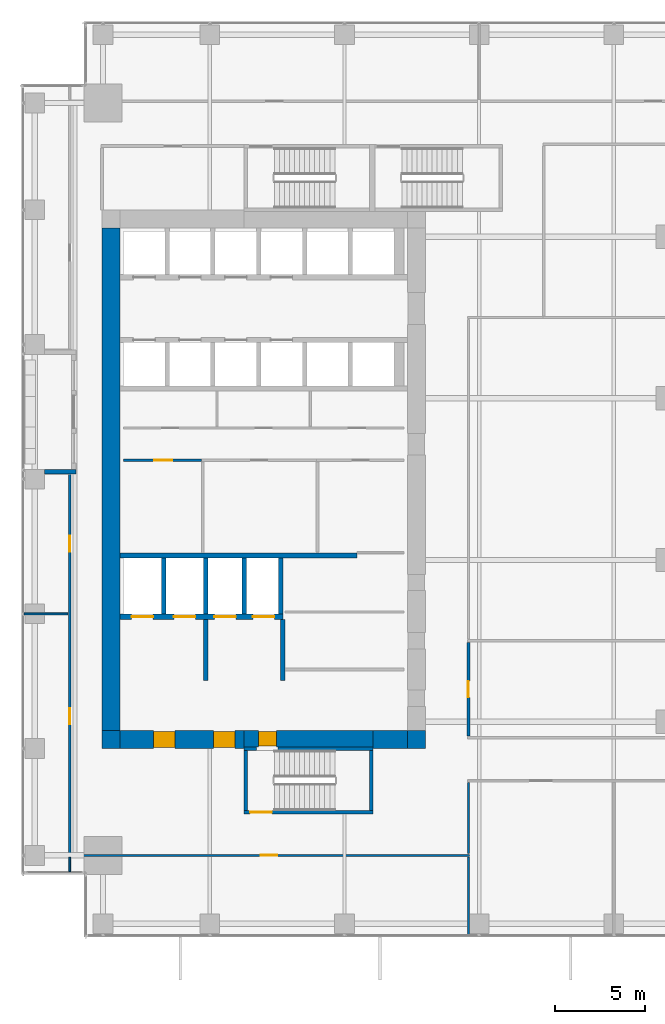
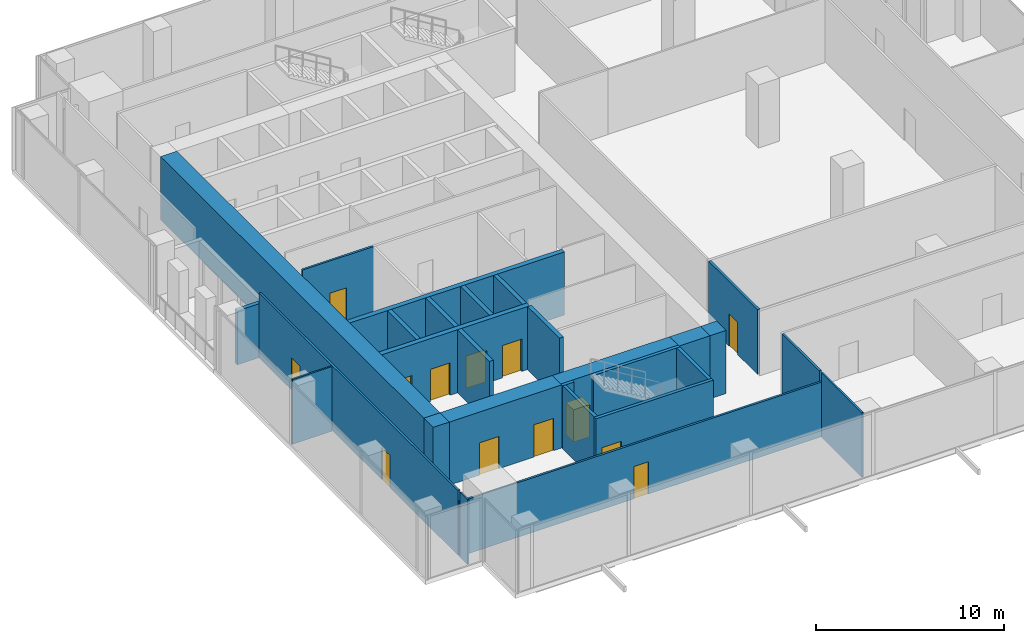
# One storey, part 29 of 35: 28 walls, 13 doors, 13 openings.
"""IFC4 building model written with IfcOpenShell, lengths in metres."""

from ifc_helpers import new_model, si_unit, direction, frame, frame_2d, origin, place, context, subcontext, project, spatial, rectangle, extrude, source, transform, mapped, material, layer, layer_set, type_object, element, fill, save


model = new_model("IFC4")

# Units and contexts
model_context = context("Model", 3, precision=1e-05, world=origin(), true_north=direction((0.0, 1.0)))
body_context = subcontext(model_context, "Body", "Model", "MODEL_VIEW")
ifc_project = project(units=[si_unit("LENGTHUNIT", "METRE"), si_unit("AREAUNIT", "SQUARE_METRE"), si_unit("VOLUMEUNIT", "CUBIC_METRE"), si_unit("PLANEANGLEUNIT", "RADIAN"), si_unit("MASSUNIT", "GRAM", prefix="KILO")], contexts=[model_context])

# Site, building, storey
site_placement = place(None, origin())
site = spatial("IfcSite", under=ifc_project, at=site_placement, CompositionType="ELEMENT")
building_placement = place(site_placement, origin())
building = spatial("IfcBuilding", under=site, at=building_placement, Name="Khomas Fold Tower", CompositionType="ELEMENT")
storey_placement = place(building_placement, frame((0.0, 0.0, 132.300048828125)))
storey = spatial("IfcBuildingStorey", under=building, at=storey_placement, Name="L28", CompositionType="ELEMENT", Elevation=132.300048828125)

# Wall, openings, doors
ifc_material_1 = material(Name="Concrete C70/85", Category="concrete")
ifc_layer_1 = layer(ifc_material_1, 1.0)
ifc_layer_set_1 = layer_set([ifc_layer_1], Name="Concrete C70/85")
wall_type_1 = type_object("IfcWallType", Name="Core wall 1000", PredefinedType="SHEAR", material=ifc_layer_set_1)
shared_shape_1 = source(origin(), body_context, "Body", "SweptSolid", [
    extrude(rectangle(XDim=6.89990234375, YDim=1.0, at=frame_2d((3.449951171875, 0.0))), origin(), (0.0, 0.0, 1.0), 4.099853515625),
])
wall_1_placement = place(storey_placement, frame((7.0, 12.5, 0.0), z_axis=(0.0, 0.0, 1.0), x_axis=(1.0, 0.0, 0.0)))
wall_1 = element("IfcWall", 1, at=wall_1_placement, inside=storey, type_object=wall_type_1, Name="Core wall CW-L-S-L21", PredefinedType="SHEAR", context=body_context, shape_type="MappedRepresentation", body=[
    mapped(shared_shape_1, transform((0.0, 0.0, 0.0))),
])
shared_shape_2 = source(origin(), body_context, "Body", "SweptSolid", [
    extrude(rectangle(XDim=1.199951171875, YDim=2.10009765625, at=frame_2d((0.60009765625, 1.050048828125))), frame((0.0, 0.510009765625, 0.0), z_axis=(0.0, -1.0, 0.0), x_axis=(1.0, 0.0, 0.0)), (0.0, 0.0, 1.0), 1.02001953125),
])
opening_1_placement = place(wall_1_placement, frame((5.199951171875, 0.0, 0.0)))
opening_1 = element("IfcOpeningElement", 2, at=opening_1_placement, cuts=wall_1, Name="Opening 0009", PredefinedType="OPENING", context=body_context, shape_type="MappedRepresentation", body=[
    mapped(shared_shape_2, transform((0.0, 0.0, 0.0))),
])
opening_2_placement = place(wall_1_placement, frame((1.85009765625, 0.0, 0.0)))
opening_2 = element("IfcOpeningElement", 3, at=opening_2_placement, cuts=wall_1, Name="Opening 0009", PredefinedType="OPENING", context=body_context, shape_type="MappedRepresentation", body=[
    mapped(shared_shape_2, transform((0.0, 0.0, 0.0))),
])
ifc_material_2 = material(Name="Steel door leaf", Category="steel")
door_type_1 = type_object("IfcDoorType", Name="Lobby door 1200x2100 right-hand", OperationType="SINGLE_SWING_RIGHT", PredefinedType="DOOR", material=ifc_material_2)
shared_shape_3 = source(origin(), body_context, "Body", "SweptSolid", [
    extrude(rectangle(XDim=1.199951171875, YDim=2.10009765625, at=frame_2d((0.60009765625, 1.050048828125))), frame((0.0, 0.449951171875, 0.0), z_axis=(0.0, -1.0, 0.0), x_axis=(1.0, 0.0, 0.0)), (0.0, 0.0, 1.0), 0.89990234375),
])
door_1_placement = place(opening_1_placement, origin())
door_1 = element("IfcDoor", 4, at=door_1_placement, inside=storey, type_object=door_type_1, Name="Lobby door", OperationType="SINGLE_SWING_RIGHT", OverallHeight=2.10009765625, OverallWidth=1.199951171875, PredefinedType="DOOR", context=body_context, shape_type="MappedRepresentation", body=[
    mapped(shared_shape_3, transform((0.0, 0.0, 0.0))),
])
fill(opening_1, door_1)
door_2_placement = place(opening_2_placement, origin())
door_2 = element("IfcDoor", 5, at=door_2_placement, inside=storey, type_object=door_type_1, Name="Lobby door", OperationType="SINGLE_SWING_RIGHT", OverallHeight=2.10009765625, OverallWidth=1.199951171875, PredefinedType="DOOR", context=body_context, shape_type="MappedRepresentation", body=[
    mapped(shared_shape_3, transform((0.0, 0.0, 0.0))),
])
fill(opening_2, door_2)

# Walls
ifc_material_3 = material(Name="Concrete C70/85", Category="concrete")
ifc_layer_2 = layer(ifc_material_3, 1.0)
ifc_layer_set_2 = layer_set([ifc_layer_2], Name="Concrete C70/85")
wall_type_2 = type_object("IfcWallType", Name="Core corner wall 1000", PredefinedType="SHEAR", material=ifc_layer_set_2)
shared_shape_4 = source(origin(), body_context, "Body", "SweptSolid", [
    extrude(rectangle(XDim=1.0, YDim=1.0, at=frame_2d((0.5, 0.0))), origin(), (0.0, 0.0, 1.0), 4.099853515625),
])
for number, where, z_axis, x_axis, name in (
    (6, (23.0, 12.5, 0.0), (0.0, 0.0, 1.0), (1.0, 0.0, 0.0), "Core wall CW-L-SE-L21"),
    (7, (6.0, 12.5, 0.0), (0.0, 0.0, 1.0), (1.0, 0.0, 0.0), "Core wall CW-L-SW-L21"),
):
    element("IfcWall", number, at=place(storey_placement, frame(where, z_axis=z_axis, x_axis=x_axis)), inside=storey, type_object=wall_type_2, Name=name, PredefinedType="SHEAR", context=body_context, shape_type="MappedRepresentation", body=[
        mapped(shared_shape_4, transform((0.0, 0.0, 0.0))),
    ])

# Wall, opening, door
ifc_material_4 = material(Name="Concrete C70/85", Category="concrete")
ifc_layer_3 = layer(ifc_material_4, 0.89990234375)
ifc_layer_set_3 = layer_set([ifc_layer_3], Name="Concrete C70/85")
wall_type_3 = type_object("IfcWallType", Name="Core wall 900", PredefinedType="SHEAR", material=ifc_layer_set_3)
shared_shape_5 = source(origin(), body_context, "Body", "SweptSolid", [
    extrude(rectangle(XDim=7.2001953125, YDim=0.89990234375, at=frame_2d((3.60009765625, 0.0))), origin(), (0.0, 0.0, 1.0), 4.099853515625),
])
wall_2_placement = place(storey_placement, frame((13.89990234375, 12.550048828125, 0.0), z_axis=(0.0, 0.0, 1.0), x_axis=(1.0, 0.0, 0.0)))
wall_2 = element("IfcWall", 8, at=wall_2_placement, inside=storey, type_object=wall_type_3, Name="Core wall CW-L-S-L21-1", PredefinedType="SHEAR", context=body_context, shape_type="MappedRepresentation", body=[
    mapped(shared_shape_5, transform((0.0, 0.0, 0.0))),
])
shared_shape_6 = source(origin(), body_context, "Body", "SweptSolid", [
    extrude(rectangle(XDim=1.0, YDim=2.10009765625, at=frame_2d((0.5, 1.050048828125))), frame((0.0, 0.4599609375, 0.0), z_axis=(0.0, -1.0, 0.0), x_axis=(1.0, 0.0, 0.0)), (0.0, 0.0, 1.0), 0.919921875),
])
opening_3_placement = place(wall_2_placement, frame((0.800048828125, 0.0, 0.0)))
opening_3 = element("IfcOpeningElement", 9, at=opening_3_placement, cuts=wall_2, Name="Opening 0010", PredefinedType="OPENING", context=body_context, shape_type="MappedRepresentation", body=[
    mapped(shared_shape_6, transform((0.0, 0.0, 0.0))),
])
ifc_material_5 = material(Name="Steel door leaf", Category="steel")
door_type_2 = type_object("IfcDoorType", Name="Stair door 1000x2100 right-hand", OperationType="SINGLE_SWING_RIGHT", PredefinedType="DOOR", material=ifc_material_5)
shared_shape_7 = source(origin(), body_context, "Body", "SweptSolid", [
    extrude(rectangle(XDim=1.0, YDim=2.10009765625, at=frame_2d((0.5, 1.050048828125))), frame((0.0, 0.39990234375, 0.0), z_axis=(0.0, -1.0, 0.0), x_axis=(1.0, 0.0, 0.0)), (0.0, 0.0, 1.0), 0.7998046875),
])
door_3_placement = place(opening_3_placement, origin())
door_3 = element("IfcDoor", 10, at=door_3_placement, inside=storey, type_object=door_type_2, Name="Stair door", OperationType="SINGLE_SWING_RIGHT", OverallHeight=2.10009765625, OverallWidth=1.0, PredefinedType="DOOR", context=body_context, shape_type="MappedRepresentation", body=[
    mapped(shared_shape_7, transform((0.0, 0.0, 0.0))),
])
fill(opening_3, door_3)

# Walls
shared_shape_8 = source(origin(), body_context, "Body", "SweptSolid", [
    extrude(rectangle(XDim=1.89990234375, YDim=1.0, at=frame_2d((0.949951171875, 0.0))), origin(), (0.0, 0.0, 1.0), 4.099853515625),
])
wall_3_placement = place(storey_placement, frame((21.10009765625, 12.5, 0.0), z_axis=(0.0, 0.0, 1.0), x_axis=(1.0, 0.0, 0.0)))
element("IfcWall", 11, at=wall_3_placement, inside=storey, type_object=wall_type_1, Name="Core wall CW-L-S-L21-2", PredefinedType="SHEAR", context=body_context, shape_type="MappedRepresentation", body=[
    mapped(shared_shape_8, transform((0.0, 0.0, 0.0))),
])
shared_shape_9 = source(origin(), body_context, "Body", "SweptSolid", [
    extrude(rectangle(XDim=28.0, YDim=1.0, at=frame_2d((14.0, 0.0))), origin(), (0.0, 0.0, 1.0), 4.099853515625),
])
wall_4_placement = place(storey_placement, frame((6.5, 13.0, 0.0), z_axis=(0.0, 0.0, 1.0), x_axis=(0.0, 1.0, 0.0)))
element("IfcWall", 12, at=wall_4_placement, inside=storey, type_object=wall_type_1, Name="Core wall CW-L-W-L21", PredefinedType="SHEAR", context=body_context, shape_type="MappedRepresentation", body=[
    mapped(shared_shape_9, transform((0.0, 0.0, 0.0))),
])
ifc_material_6 = material(Name="Concrete C50/60", Category="concrete")
ifc_layer_4 = layer(ifc_material_6, 0.199951171875)
ifc_layer_set_4 = layer_set([ifc_layer_4], Name="Concrete C50/60")
wall_type_4 = type_object("IfcWallType", Name="Stair wall 200", PredefinedType="SHEAR", material=ifc_layer_set_4)
shared_shape_10 = source(origin(), body_context, "Body", "SweptSolid", [
    extrude(rectangle(XDim=0.7001953125, YDim=0.199951171875, at=frame_2d((0.35009765625, 0.0))), origin(), (0.0, 0.0, 1.0), 4.099853515625),
])
wall_5_placement = place(storey_placement, frame((13.89990234375, 12.0, 0.0), z_axis=(0.0, 0.0, 1.0), x_axis=(1.0, 0.0, 0.0)))
element("IfcWall", 13, at=wall_5_placement, inside=storey, type_object=wall_type_4, Name="Stair wall SW-ST2-N", PredefinedType="SHEAR", context=body_context, shape_type="MappedRepresentation", body=[
    mapped(shared_shape_10, transform((0.0, 0.0, 0.0))),
])
shared_shape_11 = source(origin(), body_context, "Body", "SweptSolid", [
    extrude(rectangle(XDim=5.300048828125, YDim=0.199951171875, at=frame_2d((2.64990234375, 0.0))), origin(), (0.0, 0.0, 1.0), 4.099853515625),
])
wall_6_placement = place(storey_placement, frame((15.800048828125, 12.0, 0.0), z_axis=(0.0, 0.0, 1.0), x_axis=(1.0, 0.0, 0.0)))
element("IfcWall", 14, at=wall_6_placement, inside=storey, type_object=wall_type_4, Name="Stair wall SW-ST2-NB", PredefinedType="SHEAR", context=body_context, shape_type="MappedRepresentation", body=[
    mapped(shared_shape_11, transform((0.0, 0.0, 0.0))),
])

# Wall, opening, door
shared_shape_12 = source(origin(), body_context, "Body", "SweptSolid", [
    extrude(rectangle(XDim=7.2001953125, YDim=0.199951171875, at=frame_2d((3.60009765625, 0.0))), origin(), (0.0, 0.0, 1.0), 4.099853515625),
])
wall_7_placement = place(storey_placement, frame((13.89990234375, 8.449951171875, 0.0), z_axis=(0.0, 0.0, 1.0), x_axis=(1.0, 0.0, 0.0)))
wall_7 = element("IfcWall", 15, at=wall_7_placement, inside=storey, type_object=wall_type_4, Name="Stair wall SW-ST2-S", PredefinedType="SHEAR", context=body_context, shape_type="MappedRepresentation", body=[
    mapped(shared_shape_12, transform((0.0, 0.0, 0.0))),
])
shared_shape_13 = source(origin(), body_context, "Body", "SweptSolid", [
    extrude(rectangle(XDim=1.199951171875, YDim=2.10009765625, at=frame_2d((0.60009765625, 1.050048828125))), frame((0.0, 0.10986328125, 0.0), z_axis=(0.0, -1.0, 0.0), x_axis=(1.0, 0.0, 0.0)), (0.0, 0.0, 1.0), 0.219970703125),
])
opening_4_placement = place(wall_7_placement, frame((0.35009765625, 0.0, 0.0)))
opening_4 = element("IfcOpeningElement", 16, at=opening_4_placement, cuts=wall_7, Name="Opening SD-ST2", PredefinedType="OPENING", context=body_context, shape_type="MappedRepresentation", body=[
    mapped(shared_shape_13, transform((0.0, 0.0, 0.0))),
])
ifc_material_7 = material(Name="Steel door leaf", Category="steel")
door_type_3 = type_object("IfcDoorType", Name="Stair door 1200x2100 right-hand", OperationType="SINGLE_SWING_RIGHT", PredefinedType="DOOR", material=ifc_material_7)
shared_shape_14 = source(origin(), body_context, "Body", "SweptSolid", [
    extrude(rectangle(XDim=1.199951171875, YDim=2.10009765625, at=frame_2d((0.60009765625, 1.050048828125))), frame((0.0, 0.02490234375, 0.0), z_axis=(0.0, -1.0, 0.0), x_axis=(1.0, 0.0, 0.0)), (0.0, 0.0, 1.0), 0.050048828125),
])
door_4_placement = place(opening_4_placement, origin())
door_4 = element("IfcDoor", 17, at=door_4_placement, inside=storey, type_object=door_type_3, Name="Stair door", OperationType="SINGLE_SWING_RIGHT", OverallHeight=2.10009765625, OverallWidth=1.199951171875, PredefinedType="DOOR", context=body_context, shape_type="MappedRepresentation", body=[
    mapped(shared_shape_14, transform((0.0, 0.0, 0.0))),
])
fill(opening_4, door_4)

# Walls
shared_shape_15 = source(origin(), body_context, "Body", "SweptSolid", [
    extrude(rectangle(XDim=3.349853515625, YDim=0.199951171875, at=frame_2d((1.6748046875, 0.0))), origin(), (0.0, 0.0, 1.0), 4.099853515625),
])
for number, where, z_axis, x_axis, name in (
    (18, (21.0, 8.550048828125, 0.0), (0.0, 0.0, 1.0), (0.0, 1.0, 0.0), "Stair wall SW-ST2-E"),
    (19, (14.0, 8.550048828125, 0.0), (0.0, 0.0, 1.0), (0.0, 1.0, 0.0), "Stair wall SW-ST2-W"),
):
    element("IfcWall", number, at=place(storey_placement, frame(where, z_axis=z_axis, x_axis=x_axis)), inside=storey, type_object=wall_type_4, Name=name, PredefinedType="SHEAR", context=body_context, shape_type="MappedRepresentation", body=[
        mapped(shared_shape_15, transform((0.0, 0.0, 0.0))),
    ])
ifc_material_8 = material(Name="Concrete C50/60", Category="concrete")
ifc_layer_5 = layer(ifc_material_8, 0.300048828125)
ifc_layer_set_5 = layer_set([ifc_layer_5], Name="Concrete C50/60")
wall_type_5 = type_object("IfcWallType", Name="Shaft wall 300", PredefinedType="STANDARD", material=ifc_layer_set_5)
shared_shape_16 = source(origin(), body_context, "Body", "SweptSolid", [
    extrude(rectangle(XDim=13.199951171875, YDim=0.300048828125, at=frame_2d((6.60009765625, 0.0))), origin(), (0.0, 0.0, 1.0), 4.099853515625),
])
wall_8_placement = place(storey_placement, frame((7.0, 22.75, 0.0), z_axis=(0.0, 0.0, 1.0), x_axis=(1.0, 0.0, 0.0)))
element("IfcWall", 20, at=wall_8_placement, inside=storey, type_object=wall_type_5, Name="Core wall SW-FS-B", PredefinedType="STANDARD", context=body_context, shape_type="MappedRepresentation", body=[
    mapped(shared_shape_16, transform((0.0, 0.0, 0.0))),
])

# Wall, openings, doors
shared_shape_17 = source(origin(), body_context, "Body", "SweptSolid", [
    extrude(rectangle(XDim=9.074951171875, YDim=0.300048828125, at=frame_2d((4.53759765625, 0.0))), origin(), (0.0, 0.0, 1.0), 4.099853515625),
])
wall_9_placement = place(storey_placement, frame((7.0, 19.35009765625, 0.0), z_axis=(0.0, 0.0, 1.0), x_axis=(1.0, 0.0, 0.0)))
wall_9 = element("IfcWall", 21, at=wall_9_placement, inside=storey, type_object=wall_type_5, Name="Core wall SW-FS-F", PredefinedType="STANDARD", context=body_context, shape_type="MappedRepresentation", body=[
    mapped(shared_shape_17, transform((0.0, 0.0, 0.0))),
])
shared_shape_18 = source(origin(), body_context, "Body", "SweptSolid", [
    extrude(rectangle(XDim=1.199951171875, YDim=2.10009765625, at=frame_2d((0.60009765625, 1.050048828125))), frame((0.0, 0.159912109375, 0.0), z_axis=(0.0, -1.0, 0.0), x_axis=(1.0, 0.0, 0.0)), (0.0, 0.0, 1.0), 0.320068359375),
])
opening_5_placement = place(wall_9_placement, frame((0.64990234375, 0.0, 0.0)))
opening_5 = element("IfcOpeningElement", 22, at=opening_5_placement, cuts=wall_9, Name="Opening LD-SV1", PredefinedType="OPENING", context=body_context, shape_type="MappedRepresentation", body=[
    mapped(shared_shape_18, transform((0.0, 0.0, 0.0))),
])
opening_6_placement = place(wall_9_placement, frame((3.0, 0.0, 0.0)))
opening_6 = element("IfcOpeningElement", 23, at=opening_6_placement, cuts=wall_9, Name="Opening LD-SV2", PredefinedType="OPENING", context=body_context, shape_type="MappedRepresentation", body=[
    mapped(shared_shape_18, transform((0.0, 0.0, 0.0))),
])
opening_7_placement = place(wall_9_placement, frame((5.25, 0.0, 0.0)))
opening_7 = element("IfcOpeningElement", 24, at=opening_7_placement, cuts=wall_9, Name="Opening LD-FF1", PredefinedType="OPENING", context=body_context, shape_type="MappedRepresentation", body=[
    mapped(shared_shape_18, transform((0.0, 0.0, 0.0))),
])
opening_8_placement = place(wall_9_placement, frame((7.39990234375, 0.0, 0.0)))
opening_8 = element("IfcOpeningElement", 25, at=opening_8_placement, cuts=wall_9, Name="Opening LD-FF2", PredefinedType="OPENING", context=body_context, shape_type="MappedRepresentation", body=[
    mapped(shared_shape_18, transform((0.0, 0.0, 0.0))),
])
ifc_material_9 = material(Name="Steel door leaf", Category="steel")
door_type_4 = type_object("IfcDoorType", Name="Landing door 1200x2100", OperationType="DOUBLE_DOOR_SLIDING", PredefinedType="DOOR", material=ifc_material_9)
door_5_placement = place(opening_5_placement, origin())
door_5 = element("IfcDoor", 26, at=door_5_placement, inside=storey, type_object=door_type_4, Name="Lift landing door", OperationType="DOUBLE_DOOR_SLIDING", OverallHeight=2.10009765625, OverallWidth=1.199951171875, PredefinedType="DOOR", context=body_context, shape_type="MappedRepresentation", body=[
    mapped(shared_shape_14, transform((0.0, 0.0, 0.0))),
])
fill(opening_5, door_5)
door_6_placement = place(opening_6_placement, origin())
door_6 = element("IfcDoor", 27, at=door_6_placement, inside=storey, type_object=door_type_4, Name="Lift landing door", OperationType="DOUBLE_DOOR_SLIDING", OverallHeight=2.10009765625, OverallWidth=1.199951171875, PredefinedType="DOOR", context=body_context, shape_type="MappedRepresentation", body=[
    mapped(shared_shape_14, transform((0.0, 0.0, 0.0))),
])
fill(opening_6, door_6)
door_7_placement = place(opening_7_placement, origin())
door_7 = element("IfcDoor", 28, at=door_7_placement, inside=storey, type_object=door_type_4, Name="Lift landing door", OperationType="DOUBLE_DOOR_SLIDING", OverallHeight=2.10009765625, OverallWidth=1.199951171875, PredefinedType="DOOR", context=body_context, shape_type="MappedRepresentation", body=[
    mapped(shared_shape_14, transform((0.0, 0.0, 0.0))),
])
fill(opening_7, door_7)
door_8_placement = place(opening_8_placement, origin())
door_8 = element("IfcDoor", 29, at=door_8_placement, inside=storey, type_object=door_type_4, Name="Lift landing door", OperationType="DOUBLE_DOOR_SLIDING", OverallHeight=2.10009765625, OverallWidth=1.199951171875, PredefinedType="DOOR", context=body_context, shape_type="MappedRepresentation", body=[
    mapped(shared_shape_14, transform((0.0, 0.0, 0.0))),
])
fill(opening_8, door_8)

# Walls
ifc_material_10 = material(Name="Concrete C50/60", Category="concrete")
ifc_layer_6 = layer(ifc_material_10, 0.25)
ifc_layer_set_6 = layer_set([ifc_layer_6], Name="Concrete C50/60")
wall_type_6 = type_object("IfcWallType", Name="Shaft wall 250", PredefinedType="STANDARD", material=ifc_layer_set_6)
shared_shape_19 = source(origin(), body_context, "Body", "SweptSolid", [
    extrude(rectangle(XDim=3.10009765625, YDim=0.25, at=frame_2d((1.550048828125, 0.0))), origin(), (0.0, 0.0, 1.0), 4.099853515625),
])
for number, where, z_axis, x_axis, name in (
    (30, (9.425048828125, 19.5, 0.0), (0.0, 0.0, 1.0), (0.0, 1.0, 0.0), "Core wall SW-FS-P1"),
    (31, (11.77490234375, 19.5, 0.0), (0.0, 0.0, 1.0), (0.0, 1.0, 0.0), "Core wall SW-FS-P2"),
    (32, (13.925048828125, 19.5, 0.0), (0.0, 0.0, 1.0), (0.0, 1.0, 0.0), "Core wall SW-FS-P3"),
    (33, (15.949951171875, 19.5, 0.0), (0.0, 0.0, 1.0), (0.0, 1.0, 0.0), "Core wall SW-FS-PE"),
):
    element("IfcWall", number, at=place(storey_placement, frame(where, z_axis=z_axis, x_axis=x_axis)), inside=storey, type_object=wall_type_6, Name=name, PredefinedType="STANDARD", context=body_context, shape_type="MappedRepresentation", body=[
        mapped(shared_shape_19, transform((0.0, 0.0, 0.0))),
    ])
ifc_material_11 = material(Name="Concrete C50/60", Category="concrete")
ifc_layer_7 = layer(ifc_material_11, 0.25)
ifc_layer_set_7 = layer_set([ifc_layer_7], Name="Concrete C50/60")
wall_type_7 = type_object("IfcWallType", Name="Lobby wall 250", PredefinedType="STANDARD", material=ifc_layer_set_7)
shared_shape_20 = source(origin(), body_context, "Body", "SweptSolid", [
    extrude(rectangle(XDim=3.39990234375, YDim=0.25, at=frame_2d((1.699951171875, 0.0))), origin(), (0.0, 0.0, 1.0), 4.099853515625),
])
for number, where, z_axis, x_axis, name in (
    (34, (16.074951171875, 15.800048828125, 0.0), (0.0, 0.0, 1.0), (0.0, 1.0, 0.0), "Core wall SW-FS-LOB-E"),
    (35, (11.77490234375, 15.800048828125, 0.0), (0.0, 0.0, 1.0), (0.0, 1.0, 0.0), "Core wall SW-FS-SEP"),
):
    element("IfcWall", number, at=place(storey_placement, frame(where, z_axis=z_axis, x_axis=x_axis)), inside=storey, type_object=wall_type_7, Name=name, PredefinedType="STANDARD", context=body_context, shape_type="MappedRepresentation", body=[
        mapped(shared_shape_20, transform((0.0, 0.0, 0.0))),
    ])
ifc_material_12 = material(Name="Natural stone", Category="masonry")
ifc_layer_8 = layer(ifc_material_12, 0.0400390625)
ifc_material_13 = material(Name="Mineral wool insulation", Category="insulation")
ifc_layer_9 = layer(ifc_material_13, 0.10009765625)
ifc_material_14 = material(Name="Masonry", Category="masonry")
ifc_layer_10 = layer(ifc_material_14, 0.110107421875)
ifc_layer_set_8 = layer_set([ifc_layer_8, ifc_layer_9, ifc_layer_10], Name="Stone-faced insulated masonry")
wall_type_8 = type_object("IfcWallType", Name="BL-Balcony wall", PredefinedType="SOLIDWALL", material=ifc_layer_set_8)
shared_shape_21 = source(origin(), body_context, "Body", "SweptSolid", [
    extrude(rectangle(XDim=1.75, YDim=0.25, at=frame_2d((0.875, 0.0))), origin(), (0.0, 0.0, 1.0), 3.5),
])
wall_10_placement = place(storey_placement, frame((2.800048828125, 27.425048828125, 0.0), z_axis=(0.0, 0.0, 1.0), x_axis=(1.0, 0.0, 0.0)))
element("IfcWall", 36, at=wall_10_placement, inside=storey, type_object=wall_type_8, Name="Balcony return wall BAL-L28-W3-lo", PredefinedType="SOLIDWALL", context=body_context, shape_type="MappedRepresentation", body=[
    mapped(shared_shape_21, transform((0.0, 0.0, 0.0))),
])
ifc_material_15 = material(Name="Plasterboard partition")
ifc_layer_11 = layer(ifc_material_15, 0.10009765625)
ifc_layer_set_9 = layer_set([ifc_layer_11], Name="Plasterboard partition")
wall_type_9 = type_object("IfcWallType", Name="Partition PW1 100", PredefinedType="PARTITIONING", material=ifc_layer_set_9)
shared_shape_22 = source(origin(), body_context, "Body", "SweptSolid", [
    extrude(rectangle(XDim=4.300048828125, YDim=0.10009765625, at=frame_2d((2.14990234375, 0.0))), origin(), (0.0, 0.0, 1.0), 4.199951171875),
])
wall_11_placement = place(storey_placement, frame((26.39990234375, 1.64990234375, 0.0), z_axis=(0.0, 0.0, 1.0), x_axis=(0.0, 1.0, 0.0)))
element("IfcWall", 37, at=wall_11_placement, inside=storey, type_object=wall_type_9, Name="Partition", PredefinedType="PARTITIONING", context=body_context, shape_type="MappedRepresentation", body=[
    mapped(shared_shape_22, transform((0.0, 0.0, 0.0))),
])
shared_shape_23 = source(origin(), body_context, "Body", "SweptSolid", [
    extrude(rectangle(XDim=0.800048828125, YDim=0.10009765625, at=frame_2d((0.39990234375, 0.0))), origin(), (0.0, 0.0, 1.0), 4.199951171875),
])
wall_12_placement = place(storey_placement, frame((4.199951171875, 5.14990234375, 0.0), z_axis=(0.0, 0.0, 1.0), x_axis=(0.0, 1.0, 0.0)))
element("IfcWall", 38, at=wall_12_placement, inside=storey, type_object=wall_type_9, Name="Partition", PredefinedType="PARTITIONING", context=body_context, shape_type="MappedRepresentation", body=[
    mapped(shared_shape_23, transform((0.0, 0.0, 0.0))),
])

# Wall, opening, door
ifc_material_16 = material(Name="Plasterboard partition")
ifc_layer_12 = layer(ifc_material_16, 0.125)
ifc_layer_set_10 = layer_set([ifc_layer_12], Name="Plasterboard partition")
wall_type_10 = type_object("IfcWallType", Name="Partition PW2 125", PredefinedType="PARTITIONING", material=ifc_layer_set_10)
shared_shape_24 = source(origin(), body_context, "Body", "SweptSolid", [
    extrude(rectangle(XDim=22.300048828125, YDim=0.125, at=frame_2d((11.14990234375, 0.0))), origin(), (0.0, 0.0, 1.0), 3.550048828125),
])
wall_13_placement = place(storey_placement, frame((4.14990234375, 6.050048828125, 0.0), z_axis=(0.0, 0.0, 1.0), x_axis=(1.0, 0.0, 0.0)))
wall_13 = element("IfcWall", 39, at=wall_13_placement, inside=storey, type_object=wall_type_10, Name="Partition", PredefinedType="PARTITIONING", context=body_context, shape_type="MappedRepresentation", body=[
    mapped(shared_shape_24, transform((0.0, 0.0, 0.0))),
])
shared_shape_25 = source(origin(), body_context, "Body", "SweptSolid", [
    extrude(rectangle(XDim=0.89990234375, YDim=2.10009765625, at=frame_2d((0.449951171875, 1.050048828125))), frame((0.0, 0.072509765625, 0.0), z_axis=(0.0, -1.0, 0.0), x_axis=(1.0, 0.0, 0.0)), (0.0, 0.0, 1.0), 0.14501953125),
])
opening_9_placement = place(wall_13_placement, frame((10.699951171875, 0.0, 0.0)))
opening_9 = element("IfcOpeningElement", 40, at=opening_9_placement, cuts=wall_13, Name="Opening 0008", PredefinedType="OPENING", context=body_context, shape_type="MappedRepresentation", body=[
    mapped(shared_shape_25, transform((0.0, 0.0, 0.0))),
])
ifc_material_17 = material(Name="Timber door leaf", Category="wood")
door_type_5 = type_object("IfcDoorType", Name="Door 900x2100 right-hand", OperationType="SINGLE_SWING_RIGHT", PredefinedType="DOOR", material=ifc_material_17)
shared_shape_26 = source(origin(), body_context, "Body", "SweptSolid", [
    extrude(rectangle(XDim=0.89990234375, YDim=2.10009765625, at=frame_2d((0.449951171875, 1.050048828125))), frame((0.0, 0.02490234375, 0.0), z_axis=(0.0, -1.0, 0.0), x_axis=(1.0, 0.0, 0.0)), (0.0, 0.0, 1.0), 0.050048828125),
])
door_9_placement = place(opening_9_placement, origin())
door_9 = element("IfcDoor", 41, at=door_9_placement, inside=storey, type_object=door_type_5, Name="Door", OperationType="SINGLE_SWING_RIGHT", OverallHeight=2.10009765625, OverallWidth=0.89990234375, PredefinedType="DOOR", context=body_context, shape_type="MappedRepresentation", body=[
    mapped(shared_shape_26, transform((0.0, 0.0, 0.0))),
])
fill(opening_9, door_9)

# Walls
shared_shape_27 = source(origin(), body_context, "Body", "SweptSolid", [
    extrude(rectangle(XDim=3.9501953125, YDim=0.125, at=frame_2d((1.97509765625, 0.0))), origin(), (0.0, 0.0, 1.0), 4.199951171875),
])
wall_14_placement = place(storey_placement, frame((26.39990234375, 6.14990234375, 0.0), z_axis=(0.0, 0.0, 1.0), x_axis=(0.0, 1.0, 0.0)))
element("IfcWall", 42, at=wall_14_placement, inside=storey, type_object=wall_type_10, Name="Partition", PredefinedType="PARTITIONING", context=body_context, shape_type="MappedRepresentation", body=[
    mapped(shared_shape_27, transform((0.0, 0.0, 0.0))),
])
shared_shape_28 = source(origin(), body_context, "Body", "SweptSolid", [
    extrude(rectangle(XDim=2.4501953125, YDim=0.10009765625, at=frame_2d((1.22509765625, 0.0))), origin(), (0.0, 0.0, 1.0), 4.199951171875),
])
wall_15_placement = place(storey_placement, frame((1.64990234375, 19.5, 0.0), z_axis=(0.0, 0.0, 1.0), x_axis=(1.0, 0.0, 0.0)))
element("IfcWall", 43, at=wall_15_placement, inside=storey, type_object=wall_type_9, Name="Partition", PredefinedType="PARTITIONING", context=body_context, shape_type="MappedRepresentation", body=[
    mapped(shared_shape_28, transform((0.0, 0.0, 0.0))),
])

# Wall, openings, doors
shared_shape_29 = source(origin(), body_context, "Body", "SweptSolid", [
    extrude(rectangle(XDim=21.150146484375, YDim=0.125, at=frame_2d((10.5751953125, 0.0))), origin(), (0.0, 0.0, 1.0), 4.199951171875),
])
wall_16_placement = place(storey_placement, frame((4.199951171875, 6.14990234375, 0.0), z_axis=(0.0, 0.0, 1.0), x_axis=(0.0, 1.0, 0.0)))
wall_16 = element("IfcWall", 44, at=wall_16_placement, inside=storey, type_object=wall_type_10, Name="Partition", PredefinedType="PARTITIONING", context=body_context, shape_type="MappedRepresentation", body=[
    mapped(shared_shape_29, transform((0.0, 0.0, 0.0))),
])
opening_10_placement = place(wall_16_placement, frame((7.199951171875, 0.0, 0.0)))
opening_10 = element("IfcOpeningElement", 45, at=opening_10_placement, cuts=wall_16, Name="Opening 0008", PredefinedType="OPENING", context=body_context, shape_type="MappedRepresentation", body=[
    mapped(shared_shape_25, transform((0.0, 0.0, 0.0))),
])
opening_11_placement = place(wall_16_placement, frame((16.800048828125, 0.0, 0.0)))
opening_11 = element("IfcOpeningElement", 46, at=opening_11_placement, cuts=wall_16, Name="Opening 0008", PredefinedType="OPENING", context=body_context, shape_type="MappedRepresentation", body=[
    mapped(shared_shape_25, transform((0.0, 0.0, 0.0))),
])
door_10_placement = place(opening_10_placement, origin())
door_10 = element("IfcDoor", 47, at=door_10_placement, inside=storey, type_object=door_type_5, Name="Door", OperationType="SINGLE_SWING_RIGHT", OverallHeight=2.10009765625, OverallWidth=0.89990234375, PredefinedType="DOOR", context=body_context, shape_type="MappedRepresentation", body=[
    mapped(shared_shape_26, transform((0.0, 0.0, 0.0))),
])
fill(opening_10, door_10)
door_11_placement = place(opening_11_placement, origin())
door_11 = element("IfcDoor", 48, at=door_11_placement, inside=storey, type_object=door_type_5, Name="Door", OperationType="SINGLE_SWING_RIGHT", OverallHeight=2.10009765625, OverallWidth=0.89990234375, PredefinedType="DOOR", context=body_context, shape_type="MappedRepresentation", body=[
    mapped(shared_shape_26, transform((0.0, 0.0, 0.0))),
])
fill(opening_11, door_11)

# Wall, opening, door
ifc_material_18 = material(Name="Plasterboard fire partition")
ifc_layer_13 = layer(ifc_material_18, 0.14990234375)
ifc_layer_set_11 = layer_set([ifc_layer_13], Name="Plasterboard fire partition")
wall_type_11 = type_object("IfcWallType", Name="Plant room wall PW3 150", PredefinedType="PARTITIONING", material=ifc_layer_set_11)
shared_shape_30 = source(origin(), body_context, "Body", "SweptSolid", [
    extrude(rectangle(XDim=5.199951171875, YDim=0.14990234375, at=frame_2d((2.60009765625, 0.0))), origin(), (0.0, 0.0, 1.0), 4.199951171875),
])
wall_17_placement = place(storey_placement, frame((26.39990234375, 12.699951171875, 0.0), z_axis=(0.0, 0.0, 1.0), x_axis=(0.0, 1.0, 0.0)))
wall_17 = element("IfcWall", 49, at=wall_17_placement, inside=storey, type_object=wall_type_11, Name="Plant room wall", PredefinedType="PARTITIONING", context=body_context, shape_type="MappedRepresentation", body=[
    mapped(shared_shape_30, transform((0.0, 0.0, 0.0))),
])
shared_shape_31 = source(origin(), body_context, "Body", "SweptSolid", [
    extrude(rectangle(XDim=0.89990234375, YDim=2.10009765625, at=frame_2d((0.449951171875, 1.050048828125))), frame((0.0, 0.0849609375, 0.0), z_axis=(0.0, -1.0, 0.0), x_axis=(1.0, 0.0, 0.0)), (0.0, 0.0, 1.0), 0.169921875),
])
opening_12_placement = place(wall_17_placement, frame((2.14990234375, 0.0, 0.0)))
opening_12 = element("IfcOpeningElement", 50, at=opening_12_placement, cuts=wall_17, Name="Opening 0003", PredefinedType="OPENING", context=body_context, shape_type="MappedRepresentation", body=[
    mapped(shared_shape_31, transform((0.0, 0.0, 0.0))),
])
ifc_material_19 = material(Name="Steel door leaf", Category="steel")
door_type_6 = type_object("IfcDoorType", Name="Plant room door 900x2100 right-hand", OperationType="SINGLE_SWING_RIGHT", PredefinedType="DOOR", material=ifc_material_19)
door_12_placement = place(opening_12_placement, origin())
door_12 = element("IfcDoor", 51, at=door_12_placement, inside=storey, type_object=door_type_6, Name="Plant room door", OperationType="SINGLE_SWING_RIGHT", OverallHeight=2.10009765625, OverallWidth=0.89990234375, PredefinedType="DOOR", context=body_context, shape_type="MappedRepresentation", body=[
    mapped(shared_shape_26, transform((0.0, 0.0, 0.0))),
])
fill(opening_12, door_12)

shared_shape_32 = source(origin(), body_context, "Body", "SweptSolid", [
    extrude(rectangle(XDim=4.35009765625, YDim=0.125, at=frame_2d((2.175048828125, 0.0))), origin(), (0.0, 0.0, 1.0), 4.199951171875),
])
wall_18_placement = place(storey_placement, frame((7.199951171875, 28.050048828125, 0.0), z_axis=(0.0, 0.0, 1.0), x_axis=(1.0, 0.0, 0.0)))
wall_18 = element("IfcWall", 52, at=wall_18_placement, inside=storey, type_object=wall_type_10, Name="Partition", PredefinedType="PARTITIONING", context=body_context, shape_type="MappedRepresentation", body=[
    mapped(shared_shape_32, transform((0.0, 0.0, 0.0))),
])
shared_shape_33 = source(origin(), body_context, "Body", "SweptSolid", [
    extrude(rectangle(XDim=1.0, YDim=2.10009765625, at=frame_2d((0.5, 1.050048828125))), frame((0.0, 0.072509765625, 0.0), z_axis=(0.0, -1.0, 0.0), x_axis=(1.0, 0.0, 0.0)), (0.0, 0.0, 1.0), 0.14501953125),
])
opening_13_placement = place(wall_18_placement, frame((1.699951171875, 0.0, 0.0)))
opening_13 = element("IfcOpeningElement", 53, at=opening_13_placement, cuts=wall_18, Name="Opening 0014", PredefinedType="OPENING", context=body_context, shape_type="MappedRepresentation", body=[
    mapped(shared_shape_33, transform((0.0, 0.0, 0.0))),
])
ifc_material_20 = material(Name="Timber door leaf", Category="wood")
door_type_7 = type_object("IfcDoorType", Name="WC door 1000x2100 left-hand", OperationType="SINGLE_SWING_LEFT", PredefinedType="DOOR", material=ifc_material_20)
shared_shape_34 = source(origin(), body_context, "Body", "SweptSolid", [
    extrude(rectangle(XDim=1.0, YDim=2.10009765625, at=frame_2d((0.5, 1.050048828125))), frame((0.0, 0.02490234375, 0.0), z_axis=(0.0, -1.0, 0.0), x_axis=(1.0, 0.0, 0.0)), (0.0, 0.0, 1.0), 0.050048828125),
])
door_13_placement = place(opening_13_placement, origin())
door_13 = element("IfcDoor", 54, at=door_13_placement, inside=storey, type_object=door_type_7, Name="WC door", OperationType="SINGLE_SWING_LEFT", OverallHeight=2.10009765625, OverallWidth=1.0, PredefinedType="DOOR", context=body_context, shape_type="MappedRepresentation", body=[
    mapped(shared_shape_34, transform((0.0, 0.0, 0.0))),
])
fill(opening_13, door_13)

save(model, "model.ifc")
